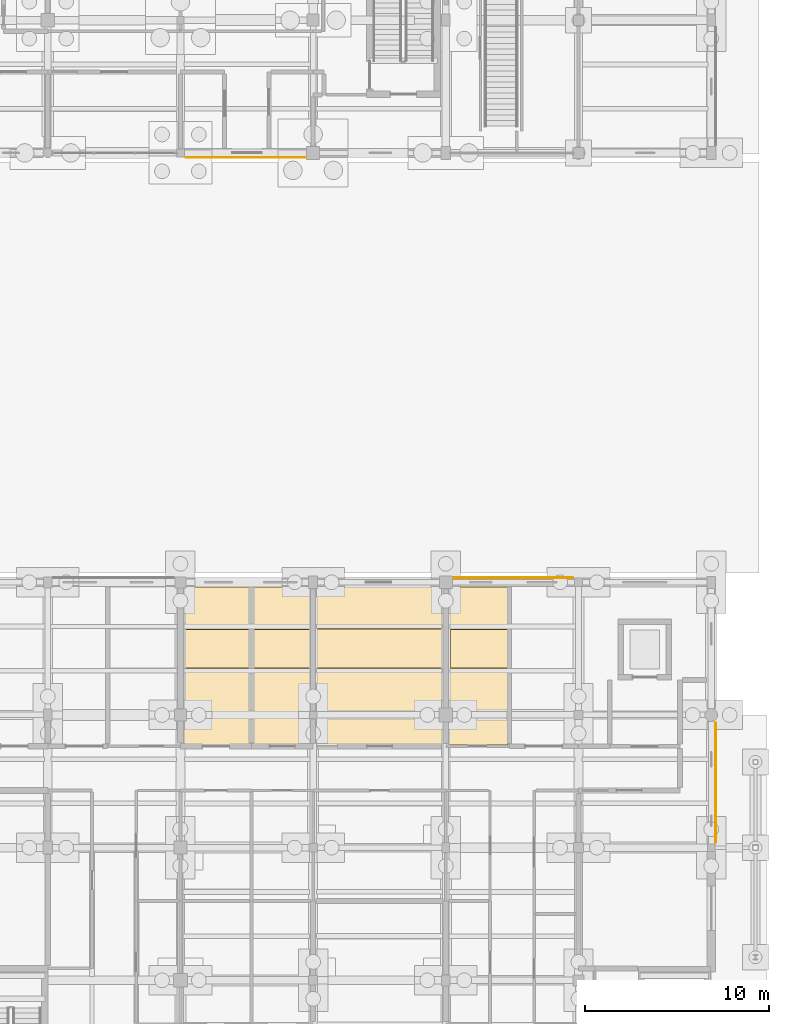
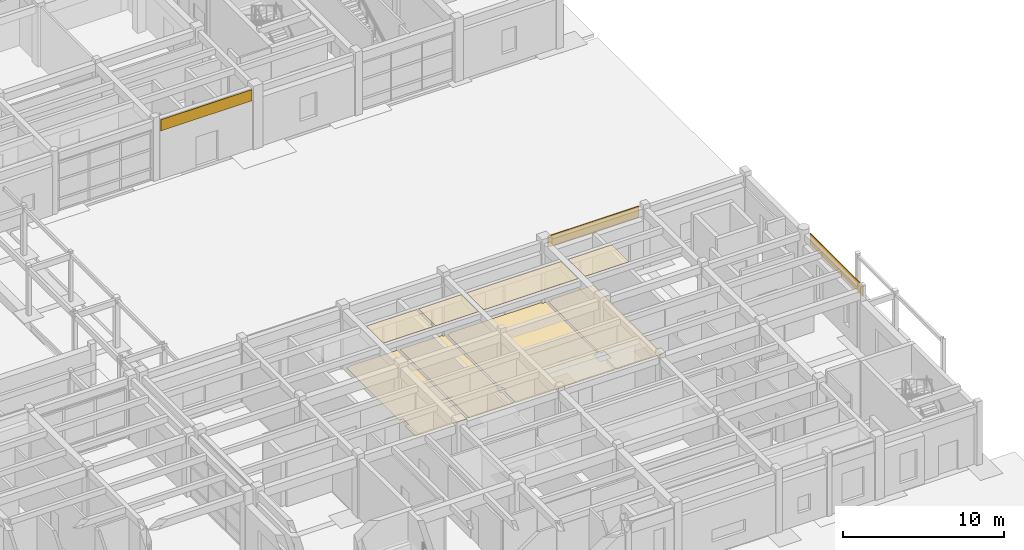
# One storey, part 140 of 143: 11 coverings.
"""IFC4 building model written with IfcOpenShell, lengths in metres."""

from ifc_helpers import new_model, si_unit, direction, frame, origin, origin_2d, place, context, subcontext, project, spatial, polyline, rectangle, outline, extrude, material, layer, layer_set, type_object, element, save


model = new_model("IFC4")

# Units and contexts
model_context = context("Model", 3, precision=1e-05, world=origin(), true_north=direction((0.0, 1.0)))
body_context = subcontext(model_context, "Body", "Model", "MODEL_VIEW")
ifc_project = project(units=[si_unit("LENGTHUNIT", "METRE"), si_unit("AREAUNIT", "SQUARE_METRE"), si_unit("VOLUMEUNIT", "CUBIC_METRE"), si_unit("PLANEANGLEUNIT", "RADIAN"), si_unit("MASSUNIT", "GRAM", prefix="KILO")], contexts=[model_context])

# Site, building, storey
site_placement = place(None, origin())
site = spatial("IfcSite", under=ifc_project, at=site_placement, CompositionType="ELEMENT")
building_placement = place(site_placement, origin())
building = spatial("IfcBuilding", under=site, at=building_placement, Name="Steenspoor Specialist Clinic", CompositionType="ELEMENT")
storey_placement = place(building_placement, origin())
storey = spatial("IfcBuildingStorey", under=building, at=storey_placement, Name="L00", CompositionType="ELEMENT", Elevation=0.0)

# Coverings
ifc_material_1 = material(Name="Washable acoustic mineral ceiling board", Category="gypsum")
ifc_layer_1 = layer(ifc_material_1, 0.02490234375)
ifc_layer_set_1 = layer_set([ifc_layer_1], Name="Washable acoustic mineral ceiling board")
covering_type_1 = type_object("IfcCoveringType", Name="COV-CEIL-ACOUSTIC", PredefinedType="CEILING", material=ifc_layer_set_1)
covering_1_placement = place(storey_placement, frame((0.0, 0.0, 4.43505859375)))
element("IfcCovering", 1, at=covering_1_placement, inside=storey, type_object=covering_type_1, Name="Acoustic Clinical Ceiling 044", PredefinedType="CEILING", context=body_context, shape_type="SweptSolid", body=[
    extrude(outline(polyline([(136.18505859375, 37.18994140625), (132.6201171875, 37.18994140625), (132.6201171875, 39.300048828125), (136.18505859375, 39.300048828125), (136.18505859375, 37.18994140625)])), origin(), (0.0, 0.0, 1.0), 0.02490234375),
])
covering_2_placement = place(storey_placement, frame((0.0, 0.0, 4.43505859375)))
element("IfcCovering", 2, at=covering_2_placement, inside=storey, type_object=covering_type_1, Name="Acoustic Clinical Ceiling 045", PredefinedType="CEILING", context=body_context, shape_type="SweptSolid", body=[
    extrude(outline(polyline([(136.3349609375, 39.300048828125), (139.405029296875, 39.300048828125), (139.405029296875, 37.18994140625), (136.3349609375, 37.18994140625), (136.3349609375, 39.300048828125)])), origin(), (0.0, 0.0, 1.0), 0.02490234375),
])
covering_3_placement = place(storey_placement, frame((0.0, 0.0, 4.43505859375)))
element("IfcCovering", 3, at=covering_3_placement, inside=storey, type_object=covering_type_1, Name="Acoustic Clinical Ceiling 046", PredefinedType="CEILING", context=body_context, shape_type="SweptSolid", body=[
    extrude(outline(polyline([(139.794921875, 37.199951171875), (139.794921875, 39.31005859375), (146.554931640625, 39.31005859375), (146.554931640625, 37.199951171875), (139.794921875, 37.199951171875)])), origin(), (0.0, 0.0, 1.0), 0.02490234375),
])
covering_4_placement = place(storey_placement, frame((0.0, 0.0, 4.43505859375)))
element("IfcCovering", 4, at=covering_4_placement, inside=storey, type_object=covering_type_1, Name="Acoustic Clinical Ceiling 047", PredefinedType="CEILING", context=body_context, shape_type="SweptSolid", body=[
    extrude(outline(polyline([(150.18505859375, 37.18994140625), (147.044921875, 37.18994140625), (147.044921875, 39.300048828125), (150.18505859375, 39.300048828125), (150.18505859375, 37.18994140625)])), origin(), (0.0, 0.0, 1.0), 0.02490234375),
])
ifc_material_2 = material(Name="Glazed ceramic relief spandrel cladding", Category="masonry")
ifc_layer_2 = layer(ifc_material_2, 0.034912109375)
ifc_layer_set_2 = layer_set([ifc_layer_2], Name="Glazed ceramic relief spandrel cladding")
covering_type_2 = type_object("IfcCoveringType", Name="COV-CLAD-CERAMIC", PredefinedType="CLADDING", material=ifc_layer_set_2)
covering_5_placement = place(storey_placement, frame((150.46240234375, 42.10009765625, 3.625), z_axis=(0.0, 0.0, 1.0), x_axis=(1.0, 0.0, 0.0)))
element("IfcCovering", 5, at=covering_5_placement, inside=storey, type_object=covering_type_2, Name="Spandrel Cladding 14", PredefinedType="CLADDING", context=body_context, shape_type="SweptSolid", body=[
    extrude(rectangle(XDim=6.5048828125, YDim=0.0400390625, at=origin_2d()), origin(), (0.0, 0.0, 1.0), 0.840087890625),
])
covering_6_placement = place(storey_placement, frame((161.449951171875, 30.97509765625, 3.625), z_axis=(0.0, 0.0, 1.0), x_axis=(0.0, -1.0, 0.0)))
element("IfcCovering", 6, at=covering_6_placement, inside=storey, type_object=covering_type_2, Name="Spandrel Cladding 15", PredefinedType="CLADDING", context=body_context, shape_type="SweptSolid", body=[
    extrude(rectangle(XDim=6.530029296875, YDim=0.0400390625, at=origin_2d()), origin(), (0.0, 0.0, 1.0), 0.840087890625),
])
covering_7_placement = place(storey_placement, frame((135.9375, 64.89990234375, 3.68505859375), z_axis=(0.0, 0.0, 1.0), x_axis=(-1.0, 0.0, 0.0)))
element("IfcCovering", 7, at=covering_7_placement, inside=storey, type_object=covering_type_2, Name="Spandrel Cladding 79", PredefinedType="CLADDING", context=body_context, shape_type="SweptSolid", body=[
    extrude(rectangle(XDim=6.5048828125, YDim=0.0400390625, at=origin_2d()), origin(), (0.0, 0.0, 1.0), 0.840087890625),
])
ifc_material_3 = material(Name="Seamless clinical vinyl and terrazzo flooring", Category="plastic")
ifc_layer_3 = layer(ifc_material_3, 0.02001953125)
ifc_layer_set_3 = layer_set([ifc_layer_3], Name="Seamless clinical vinyl and terrazzo flooring")
covering_type_3 = type_object("IfcCoveringType", Name="COV-FLOOR-VINYL", PredefinedType="FLOORING", material=ifc_layer_set_3)
covering_8_placement = place(storey_placement, origin())
element("IfcCovering", 8, at=covering_8_placement, inside=storey, type_object=covering_type_3, Name="Clinical Vinyl Flooring 57", PredefinedType="FLOORING", context=body_context, shape_type="SweptSolid", body=[
    extrude(outline(polyline([(132.465087890625, 34.31005859375), (132.739990234375, 34.31005859375), (132.739990234375, 34.989990234375), (132.465087890625, 34.989990234375), (132.465087890625, 41.534912109375), (132.715087890625, 41.534912109375), (132.715087890625, 41.590087890625), (136.18505859375, 41.590087890625), (136.18505859375, 33.014892578125), (132.465087890625, 33.014892578125), (132.465087890625, 34.31005859375)])), origin(), (0.0, 0.0, 1.0), 0.02001953125),
])
covering_9_placement = place(storey_placement, origin())
element("IfcCovering", 9, at=covering_9_placement, inside=storey, type_object=covering_type_3, Name="Clinical Vinyl Flooring 58", PredefinedType="FLOORING", context=body_context, shape_type="SweptSolid", body=[
    extrude(outline(polyline([(136.3349609375, 41.590087890625), (139.3349609375, 41.590087890625), (139.3349609375, 41.485107421875), (139.514892578125, 41.485107421875), (139.514892578125, 34.864990234375), (139.385009765625, 34.864990234375), (139.385009765625, 34.43505859375), (139.514892578125, 34.43505859375), (139.514892578125, 33.034912109375), (136.3349609375, 33.034912109375), (136.3349609375, 41.590087890625)])), origin(), (0.0, 0.0, 1.0), 0.02001953125),
])
covering_10_placement = place(storey_placement, origin())
element("IfcCovering", 10, at=covering_10_placement, inside=storey, type_object=covering_type_3, Name="Clinical Vinyl Flooring 59", PredefinedType="FLOORING", context=body_context, shape_type="SweptSolid", body=[
    extrude(outline(polyline([(139.6650390625, 34.43505859375), (139.81494140625, 34.43505859375), (139.81494140625, 34.864990234375), (139.6650390625, 34.864990234375), (139.6650390625, 41.485107421875), (139.864990234375, 41.485107421875), (139.864990234375, 41.590087890625), (146.43505859375, 41.590087890625), (146.43505859375, 41.485107421875), (146.735107421875, 41.485107421875), (146.735107421875, 35.0400390625), (146.409912109375, 35.0400390625), (146.409912109375, 34.260009765625), (146.735107421875, 34.260009765625), (146.735107421875, 33.014892578125), (139.6650390625, 33.014892578125), (139.6650390625, 34.43505859375)])), origin(), (0.0, 0.0, 1.0), 0.02001953125),
])
covering_11_placement = place(storey_placement, origin())
element("IfcCovering", 11, at=covering_11_placement, inside=storey, type_object=covering_type_3, Name="Clinical Vinyl Flooring 60", PredefinedType="FLOORING", context=body_context, shape_type="SweptSolid", body=[
    extrude(outline(polyline([(146.864990234375, 34.260009765625), (147.18994140625, 34.260009765625), (147.18994140625, 35.0400390625), (146.864990234375, 35.0400390625), (146.864990234375, 41.485107421875), (147.1650390625, 41.485107421875), (147.1650390625, 41.590087890625), (150.18505859375, 41.590087890625), (150.18505859375, 33.014892578125), (146.864990234375, 33.014892578125), (146.864990234375, 34.260009765625)])), origin(), (0.0, 0.0, 1.0), 0.02001953125),
])

save(model, "model.ifc")
